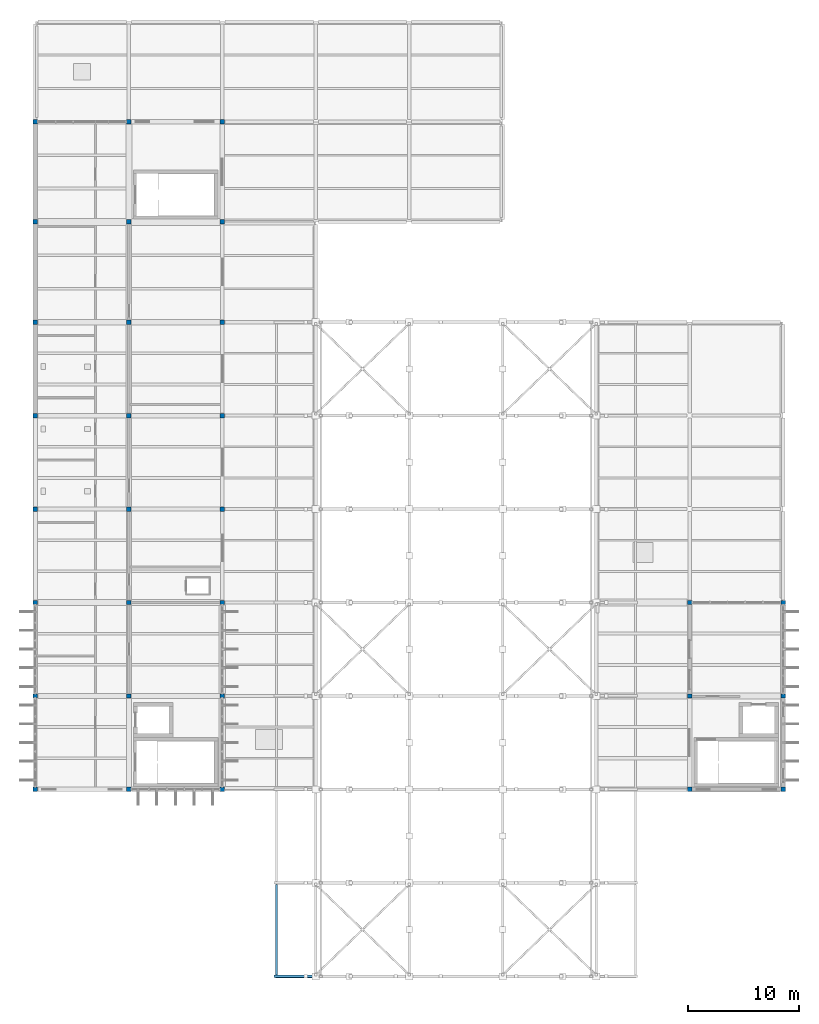
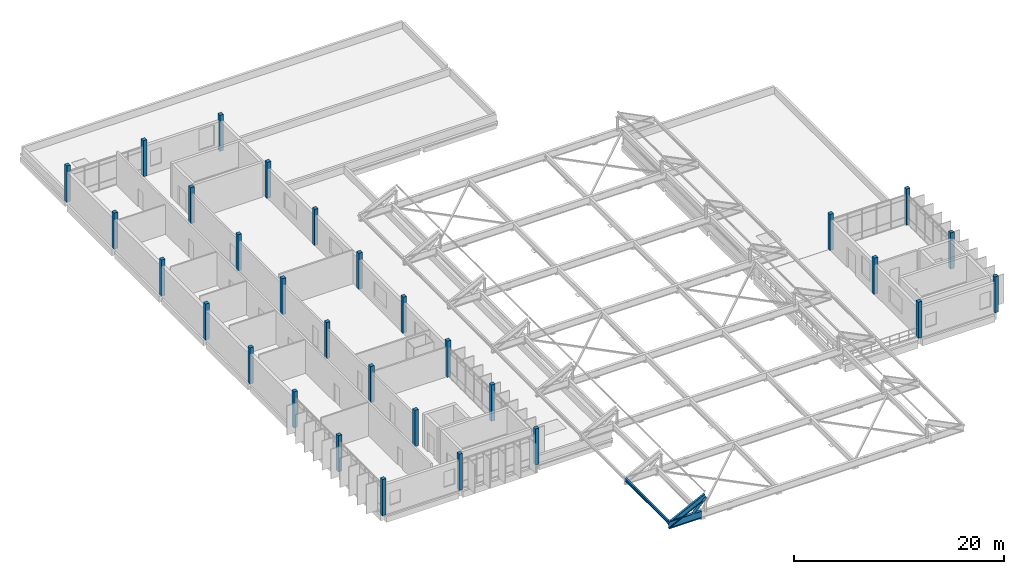
# One storey, part 1 of 41: 30 columns, 3 beams, 1 member.
"""IFC4 building model written with IfcOpenShell, lengths in metres."""

import ifcopenshell
import ifcopenshell.guid

model = None  # the IFC model being written
_history = None  # IfcOwnerHistory: only IFC2X3 demands one
_inside = {}  # id of a spatial element -> (the spatial element, [elements in it])
_under = {}  # id of a project, library or spatial element -> (it, [spatial elements below it])
_declared = {}  # id of a project -> (the project, [libraries it declares])
_typed = {}  # id of a type object -> (the type object, [elements of that type])
_made_of = {}  # id of a material, layer set ... -> (it, [elements and type objects made of it])


def new_model(schema):
    """Start an empty IFC model of exactly this schema.

    Asked for "IFC4X3", IfcOpenShell would pick the latest addendum, in which some entities
    have other attributes; the version numbers below select the first issue.
    IFC2X3 requires an IfcOwnerHistory on every rooted entity: one is made here for all.
    """
    global model, _history
    if schema == "IFC4X3":
        model = ifcopenshell.file(schema_version=(4, 3, 0, 0))
    else:
        model = ifcopenshell.file(schema=schema)
    _inside.clear()
    _under.clear()
    _declared.clear()
    _typed.clear()
    _made_of.clear()
    _history = None
    if model.schema == "IFC2X3":
        org = make("IfcOrganization", Name="unknown")
        user = make(
            "IfcPersonAndOrganization",
            ThePerson=make("IfcPerson", FamilyName="unknown"),
            TheOrganization=org,
        )
        app = make(
            "IfcApplication",
            ApplicationDeveloper=org,
            Version="unknown",
            ApplicationFullName="unknown",
            ApplicationIdentifier="unknown",
        )
        _history = make(
            "IfcOwnerHistory",
            OwningUser=user,
            OwningApplication=app,
            ChangeAction="ADDED",
            CreationDate=0,
        )
    return model


def make(cls, **values):
    """One entity of the class cls with the attributes given. An attribute that is None is left unset."""
    return model.create_entity(
        cls, **{name: value for name, value in values.items() if value is not None}
    )


def rooted(cls, **values):
    """An entity with a GlobalId (a new one), such as an element, a storey or a relation."""
    return make(cls, GlobalId=ifcopenshell.guid.new(), OwnerHistory=_history, **values)


def si_unit(unit_type, name, prefix=None):
    """IfcSIUnit, for example si_unit("LENGTHUNIT", "METRE", prefix="MILLI")."""
    return make("IfcSIUnit", UnitType=unit_type, Prefix=prefix, Name=name)


def assignment(units):
    """IfcUnitAssignment: the units of a project."""
    return None if units is None else make("IfcUnitAssignment", Units=units)


def point(xyz):
    """IfcCartesianPoint."""
    return None if xyz is None else make("IfcCartesianPoint", Coordinates=xyz)


def direction(xyz):
    """IfcDirection."""
    return None if xyz is None else make("IfcDirection", DirectionRatios=xyz)


def frame(location, z_axis=None, x_axis=None):
    """IfcAxis2Placement3D, a coordinate frame: its origin and axes. An axis left out is left unset."""
    return make(
        "IfcAxis2Placement3D",
        Location=point(location),
        Axis=direction(z_axis),
        RefDirection=direction(x_axis),
    )


def frame_2d(location, x_axis=None):
    """IfcAxis2Placement2D, a coordinate frame in the plane: its origin and x axis."""
    return make(
        "IfcAxis2Placement2D", Location=point(location), RefDirection=direction(x_axis)
    )


def origin():
    """The frame at (0, 0, 0) with its axes left unset."""
    return frame((0.0, 0.0, 0.0))


def origin_2d():
    """The frame at (0, 0) in the plane with its x axis left unset."""
    return frame_2d((0.0, 0.0))


def place(relative_to, where):
    """IfcLocalPlacement: puts the frame where relative to a parent placement (None: the world)."""
    return make(
        "IfcLocalPlacement", PlacementRelTo=relative_to, RelativePlacement=where
    )


def context(
    kind, dimensions, precision=None, world=None, true_north=None, identifier=None
):
    """IfcGeometricRepresentationContext, for example the 3D "Model" context."""
    return make(
        "IfcGeometricRepresentationContext",
        ContextIdentifier=identifier,
        ContextType=kind,
        CoordinateSpaceDimension=dimensions,
        Precision=precision,
        WorldCoordinateSystem=world,
        TrueNorth=true_north,
    )


def subcontext(parent, identifier, kind, view, scale=None):
    """IfcGeometricRepresentationSubContext, for example "Body" below "Model"."""
    return make(
        "IfcGeometricRepresentationSubContext",
        ContextIdentifier=identifier,
        ContextType=kind,
        ParentContext=parent,
        TargetScale=scale,
        TargetView=view,
    )


def project(units=None, contexts=None):
    """IfcProject with its units and contexts."""
    return rooted(
        "IfcProject",
        Name="project",
        RepresentationContexts=contexts,
        UnitsInContext=assignment(units),
    )


def spatial(cls, under=None, at=None, **own):
    """A site, building, storey or space (cls), placed at a placement, below another one or the project."""
    s = rooted(cls, ObjectPlacement=at, **own)
    if under is not None:
        _under.setdefault(under.id(), (under, []))[1].append(s)
    return s


def profile(cls, at=None, kind="AREA", **sizes):
    """A parametric profile (cls). Its sizes go by their IFC names, for example OverallWidth=200.0."""
    return make(cls, ProfileType=kind, Position=at, **sizes)


def rectangle(**sizes):
    """IfcRectangleProfileDef."""
    return profile("IfcRectangleProfileDef", **sizes)


def hollow_circle(**sizes):
    """IfcCircleHollowProfileDef."""
    return profile("IfcCircleHollowProfileDef", **sizes)


def i_section(**sizes):
    """IfcIShapeProfileDef."""
    return profile("IfcIShapeProfileDef", **sizes)


def extrude(swept, where, along, depth):
    """IfcExtrudedAreaSolid: the profile swept, set in the frame where, extruded along a direction by depth."""
    return make(
        "IfcExtrudedAreaSolid",
        SweptArea=swept,
        Position=where,
        ExtrudedDirection=direction(along),
        Depth=depth,
    )


def shape(context_of_items, identifier, shape_type, items):
    """IfcShapeRepresentation: the items that make up one representation, for example the "Body"."""
    return make(
        "IfcShapeRepresentation",
        ContextOfItems=context_of_items,
        RepresentationIdentifier=identifier,
        RepresentationType=shape_type,
        Items=items,
    )


def material(Name=None, Category=None):
    """IfcMaterial."""
    return make("IfcMaterial", Name=Name, Category=Category)


def material_profile(
    of_material, cross_section, Name=None, Category=None, Priority=None
):
    """IfcMaterialProfile: a cross section and its material."""
    return make(
        "IfcMaterialProfile",
        Name=Name,
        Material=of_material,
        Profile=cross_section,
        Priority=Priority,
        Category=Category,
    )


def profile_set(profiles, Name=None, composite=None):
    """IfcMaterialProfileSet."""
    return make(
        "IfcMaterialProfileSet",
        Name=Name,
        MaterialProfiles=profiles,
        CompositeProfile=composite,
    )


def made_of(thing, what):
    """Note that an element or type object is made of a material, layer set ...; save() writes the relation."""
    if what is not None:
        _made_of.setdefault(what.id(), (what, []))[1].append(thing)
    return thing


def type_object(cls, material=None, **own):
    """A type object (cls), such as IfcWallType, which elements share."""
    return made_of(rooted(cls, **own), material)


def element(
    cls,
    number,
    at=None,
    inside=None,
    cuts=None,
    type_object=None,
    material=None,
    context=None,
    identifier="Body",
    shape_type=None,
    held_by="IfcProductDefinitionShape",
    body=None,
    shapes=None,
    **own,
):
    """One element of the class cls, such as IfcWall. Its Tag is "e" and its number.

    at: its placement. inside: the storey or other place that contains it. cuts: it is an
    opening in that element (IfcRelVoidsElement). A single representation is given by context,
    identifier, shape_type and body (its items); several are given by shapes. held_by: the class
    of the entity that holds the representations. save() writes the other relations.
    """
    e = rooted(cls, Tag="e%d" % number, ObjectPlacement=at, **own)
    if body is not None:
        shapes = [shape(context, identifier, shape_type, body)]
    if shapes is not None:
        e.Representation = make(held_by, Representations=shapes)
    if inside is not None:
        _inside.setdefault(inside.id(), (inside, []))[1].append(e)
    if cuts is not None:
        rooted(
            "IfcRelVoidsElement", RelatingBuildingElement=cuts, RelatedOpeningElement=e
        )
    if type_object is not None:
        _typed.setdefault(type_object.id(), (type_object, []))[1].append(e)
    return made_of(e, material)


def aggregate(whole, parts):
    """IfcRelAggregates: a whole, such as a stair, and the parts it consists of."""
    return rooted("IfcRelAggregates", RelatingObject=whole, RelatedObjects=parts)


def save(model, path):
    """Write the relations noted so far, then the file.

    IfcRelAggregates (storeys below a building ...), IfcRelContainedInSpatialStructure (elements
    in a storey), IfcRelDefinesByType, IfcRelAssociatesMaterial and IfcRelDeclares: one each for
    every whole, place, type object, material and project.
    """
    for whole, parts in _under.values():
        aggregate(whole, parts)
    for where, things in _inside.values():
        rooted(
            "IfcRelContainedInSpatialStructure",
            RelatedElements=things,
            RelatingStructure=where,
        )
    for kind, things in _typed.values():
        rooted("IfcRelDefinesByType", RelatedObjects=things, RelatingType=kind)
    for what, things in _made_of.values():
        rooted("IfcRelAssociatesMaterial", RelatedObjects=things, RelatingMaterial=what)
    for by, libraries in _declared.values():
        rooted("IfcRelDeclares", RelatingContext=by, RelatedDefinitions=libraries)
    model.write(path)


model = new_model("IFC4")

# Units and contexts
model_context = context("Model", 3, precision=1e-05, world=origin(), true_north=direction((0.0, 1.0)))
body_context = subcontext(model_context, "Body", "Model", "MODEL_VIEW")
ifc_project = project(units=[si_unit("LENGTHUNIT", "METRE"), si_unit("AREAUNIT", "SQUARE_METRE"), si_unit("VOLUMEUNIT", "CUBIC_METRE"), si_unit("PLANEANGLEUNIT", "RADIAN"), si_unit("MASSUNIT", "GRAM", prefix="KILO")], contexts=[model_context])

# Site, building, storey
site_placement = place(None, origin())
site = spatial("IfcSite", under=ifc_project, at=site_placement, CompositionType="ELEMENT")
building_placement = place(site_placement, origin())
building = spatial("IfcBuilding", under=site, at=building_placement, Name="Vireocrest Preparatory School", CompositionType="ELEMENT")
storey_placement = place(building_placement, frame((0.0, 0.0, 21.60009765625)))
storey = spatial("IfcBuildingStorey", under=building, at=storey_placement, Name="L05", CompositionType="ELEMENT", Elevation=21.60009765625)

# Columns
ifc_material_1 = material(Name="Concrete 45 MPa", Category="concrete")
ifc_material_profile_1 = material_profile(ifc_material_1, rectangle(XDim=0.39990234375, YDim=0.39990234375, at=origin_2d()), Name="RC 400x400")
ifc_profile_set_1 = profile_set([ifc_material_profile_1], Name="Concrete 45 MPa")
column_type = type_object("IfcColumnType", Name="RC Column 400x400", PredefinedType="COLUMN", material=ifc_profile_set_1)
for number, where, z_axis, x_axis, name in (
    (1, (42.0, 43.800048828125, 0.0), (0.0, 0.0, 1.0), (1.0, 0.0, 0.0), "Column C01 L05 6/F"),
    (2, (42.0, 52.199951171875, 0.0), (0.0, 0.0, 1.0), (1.0, 0.0, 0.0), "Column C01 L05 6/G"),
    (3, (42.0, 60.60009765625, 0.0), (0.0, 0.0, 1.0), (1.0, 0.0, 0.0), "Column C01 L05 6/H"),
    (4, (42.0, 69.0, 0.0), (0.0, 0.0, 1.0), (1.0, 0.0, 0.0), "Column C01 L05 6/J"),
    (5, (42.0, 77.39990234375, 0.0), (0.0, 0.0, 1.0), (1.0, 0.0, 0.0), "Column C01 L05 6/K"),
    (6, (42.0, 85.800048828125, 0.0), (0.0, 0.0, 1.0), (1.0, 0.0, 0.0), "Column C01 L05 6/L"),
    (7, (42.0, 94.800048828125, 0.0), (0.0, 0.0, 1.0), (1.0, 0.0, 0.0), "Column C01 L05 6/M"),
    (8, (42.0, 103.800048828125, 0.0), (0.0, 0.0, 1.0), (1.0, 0.0, 0.0), "Column C01 L05 6/N"),
    (9, (50.39990234375, 43.800048828125, 0.0), (0.0, 0.0, 1.0), (1.0, 0.0, 0.0), "Column C01 L05 7/F"),
    (10, (50.39990234375, 52.199951171875, 0.0), (0.0, 0.0, 1.0), (1.0, 0.0, 0.0), "Column C01 L05 7/G"),
    (11, (50.39990234375, 60.60009765625, 0.0), (0.0, 0.0, 1.0), (1.0, 0.0, 0.0), "Column C01 L05 7/H"),
    (12, (50.39990234375, 69.0, 0.0), (0.0, 0.0, 1.0), (1.0, 0.0, 0.0), "Column C01 L05 7/J"),
    (13, (50.39990234375, 77.39990234375, 0.0), (0.0, 0.0, 1.0), (1.0, 0.0, 0.0), "Column C01 L05 7/K"),
    (14, (50.39990234375, 85.800048828125, 0.0), (0.0, 0.0, 1.0), (1.0, 0.0, 0.0), "Column C01 L05 7/L"),
    (15, (50.39990234375, 94.800048828125, 0.0), (0.0, 0.0, 1.0), (1.0, 0.0, 0.0), "Column C01 L05 7/M"),
    (16, (50.39990234375, 103.800048828125, 0.0), (0.0, 0.0, 1.0), (1.0, 0.0, 0.0), "Column C01 L05 7/N"),
    (17, (58.800048828125, 43.800048828125, 0.0), (0.0, 0.0, 1.0), (1.0, 0.0, 0.0), "Column C01 L05 8/F"),
    (18, (58.800048828125, 52.199951171875, 0.0), (0.0, 0.0, 1.0), (1.0, 0.0, 0.0), "Column C01 L05 8/G"),
    (19, (58.800048828125, 60.60009765625, 0.0), (0.0, 0.0, 1.0), (1.0, 0.0, 0.0), "Column C01 L05 8/H"),
    (20, (58.800048828125, 69.0, 0.0), (0.0, 0.0, 1.0), (1.0, 0.0, 0.0), "Column C01 L05 8/J"),
    (21, (58.800048828125, 77.39990234375, 0.0), (0.0, 0.0, 1.0), (1.0, 0.0, 0.0), "Column C01 L05 8/K"),
    (22, (58.800048828125, 85.800048828125, 0.0), (0.0, 0.0, 1.0), (1.0, 0.0, 0.0), "Column C01 L05 8/L"),
    (23, (58.800048828125, 94.800048828125, 0.0), (0.0, 0.0, 1.0), (1.0, 0.0, 0.0), "Column C01 L05 8/M"),
    (24, (58.800048828125, 103.800048828125, 0.0), (0.0, 0.0, 1.0), (1.0, 0.0, 0.0), "Column C01 L05 8/N"),
    (25, (100.800048828125, 43.800048828125, 0.0), (0.0, 0.0, 1.0), (1.0, 0.0, 0.0), "Column C01 L05 13/F"),
    (26, (100.800048828125, 52.199951171875, 0.0), (0.0, 0.0, 1.0), (1.0, 0.0, 0.0), "Column C01 L05 13/G"),
    (27, (100.800048828125, 60.60009765625, 0.0), (0.0, 0.0, 1.0), (1.0, 0.0, 0.0), "Column C01 L05 13/H"),
    (28, (109.199951171875, 43.800048828125, 0.0), (0.0, 0.0, 1.0), (1.0, 0.0, 0.0), "Column C01 L05 14/F"),
    (29, (109.199951171875, 52.199951171875, 0.0), (0.0, 0.0, 1.0), (1.0, 0.0, 0.0), "Column C01 L05 14/G"),
    (30, (109.199951171875, 60.60009765625, 0.0), (0.0, 0.0, 1.0), (1.0, 0.0, 0.0), "Column C01 L05 14/H"),
):
    element("IfcColumn", number, at=place(storey_placement, frame(where, z_axis=z_axis, x_axis=x_axis)), inside=storey, type_object=column_type, Name=name, PredefinedType="COLUMN", context=body_context, shape_type="SweptSolid", body=[
        extrude(rectangle(XDim=0.39990234375, YDim=0.39990234375, at=origin_2d()), origin(), (0.0, 0.0, 1.0), 4.199951171875),
    ])

# Beams
ifc_material_2 = material(Name="Structural steel ASTM A992 Grade 50", Category="steel")
ifc_material_profile_2 = material_profile(ifc_material_2, i_section(OverallWidth=0.2919921875, OverallDepth=0.8349609375, WebThickness=0.013916015625, FlangeThickness=0.018798828125, FilletRadius=0.02001953125, at=origin_2d()), Name="W33X118")
ifc_profile_set_2 = profile_set([ifc_material_profile_2], Name="Structural steel ASTM A992 Grade 50")
beam_type_1 = type_object("IfcBeamType", Name="Central Court Canopy Primary Girder W33X118", PredefinedType="BEAM", material=ifc_profile_set_2)
beam_1_placement = place(storey_placement, frame((63.60009765625, 27.0, 1.41748046875), z_axis=(1.0, 0.0, 0.0), x_axis=(0.0, 1.0, 0.0)))
element("IfcBeam", 31, at=beam_1_placement, inside=storey, type_object=beam_type_1, Name="Central Court Canopy Primary Girder CG1-1W", PredefinedType="BEAM", context=body_context, shape_type="SweptSolid", body=[
    extrude(i_section(OverallWidth=0.2919921875, OverallDepth=0.8349609375, WebThickness=0.013916015625, FlangeThickness=0.018798828125, FilletRadius=0.02001953125, at=origin_2d()), origin(), (0.0, 0.0, 1.0), 3.599853515625),
])
ifc_material_profile_3 = material_profile(ifc_material_2, i_section(OverallWidth=0.22802734375, OverallDepth=0.60302734375, WebThickness=0.010498046875, FlangeThickness=0.014892578125, FilletRadius=0.01611328125, at=origin_2d()), Name="W24X68")
ifc_profile_set_3 = profile_set([ifc_material_profile_3], Name="Structural steel ASTM A992 Grade 50")
beam_type_2 = type_object("IfcBeamType", Name="Dining Pavilion Roof Girder W24X68", PredefinedType="BEAM", material=ifc_profile_set_3)
beam_2_placement = place(storey_placement, frame((63.60009765625, 27.0, 1.374267578125), z_axis=(0.894858343539, 0.0, 0.446350249243), x_axis=(0.0, 1.0, 0.0)))
element("IfcBeam", 32, at=beam_2_placement, inside=storey, type_object=beam_type_2, Name="Canopy Rafter Chord SB4-1-1", PredefinedType="BEAM", context=body_context, shape_type="SweptSolid", body=[
    extrude(i_section(OverallWidth=0.22802734375, OverallDepth=0.60302734375, WebThickness=0.010498046875, FlangeThickness=0.014892578125, FilletRadius=0.01611328125, at=origin_2d()), origin(), (0.0, 0.0, 1.0), 4.525634765625),
])
ifc_material_profile_4 = material_profile(ifc_material_2, i_section(OverallWidth=0.172119140625, OverallDepth=0.35791015625, WebThickness=0.0078125, FlangeThickness=0.01318359375, FilletRadius=0.012939453125, at=origin_2d()), Name="W14X38")
ifc_profile_set_4 = profile_set([ifc_material_profile_4], Name="Structural steel ASTM A992 Grade 50")
beam_type_3 = type_object("IfcBeamType", Name="Entrance Canopy Header Lintel W14X38", PredefinedType="USERDEFINED", material=ifc_profile_set_4)
beam_3_placement = place(storey_placement, frame((63.679931640625, 27.14404296875, 1.656005859375), z_axis=(0.0, 1.0, 0.0), x_axis=(-1.0, 0.0, 0.0)))
element("IfcBeam", 33, at=beam_3_placement, inside=storey, type_object=beam_type_3, Name="Canopy Longitudinal Beam WTIP-1", ObjectType="LINTEL", PredefinedType="USERDEFINED", context=body_context, shape_type="SweptSolid", body=[
    extrude(i_section(OverallWidth=0.172119140625, OverallDepth=0.35791015625, WebThickness=0.0078125, FlangeThickness=0.01318359375, FilletRadius=0.012939453125, at=origin_2d()), origin(), (0.0, 0.0, 1.0), 8.112060546875),
])

# Member
ifc_material_3 = material(Name="Painted white steel ASTM A500 Grade C", Category="steel")
ifc_material_profile_5 = material_profile(ifc_material_3, hollow_circle(Radius=0.136474609375, WallThickness=0.0126953125, at=origin_2d()), Name="HSS10.750X0.500")
ifc_profile_set_5 = profile_set([ifc_material_profile_5], Name="Painted white steel ASTM A500 Grade C")
member_type = type_object("IfcMemberType", Name="White Steel Clerestory Strut HSS10.750X0.500", PredefinedType="USERDEFINED", material=ifc_profile_set_5)
member_placement = place(storey_placement, frame((66.300048828125, 27.0, 1.81494140625), z_axis=(0.719488902292, 0.0, 0.694503937698), x_axis=(0.0, 1.0, 0.0)))
element("IfcMember", 34, at=member_placement, inside=storey, type_object=member_type, Name="Canopy Truss Web Strut VS3-1-1", ObjectType="STRUT", PredefinedType="USERDEFINED", context=body_context, shape_type="SweptSolid", body=[
    extrude(hollow_circle(Radius=0.136474609375, WallThickness=0.0126953125, at=origin_2d()), origin(), (0.0, 0.0, 1.0), 1.876220703125),
])

save(model, "model.ifc")
